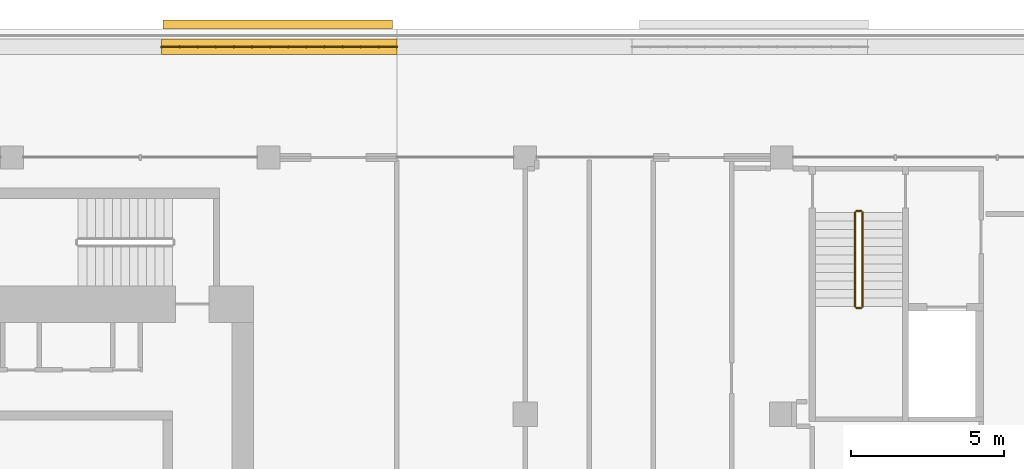
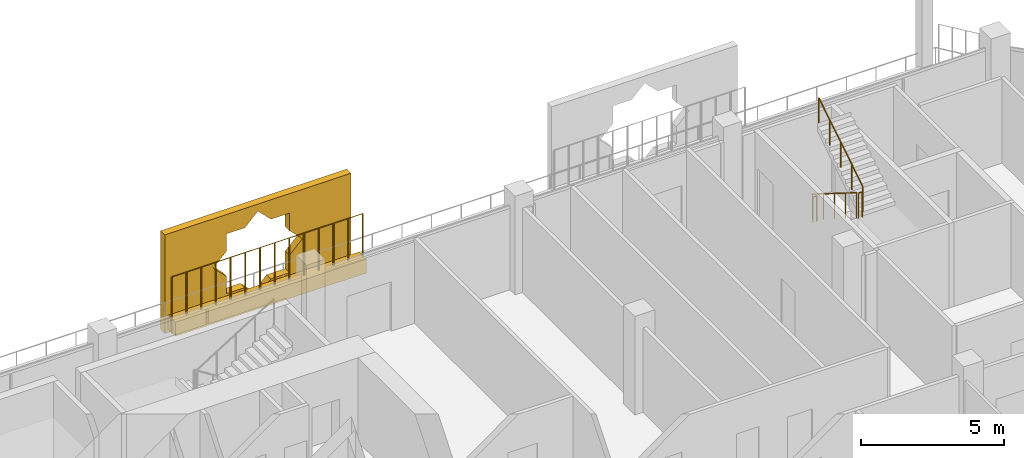
# One storey, part 20 of 21: 5 railings, 2 coverings.
"""IFC4 building model written with IfcOpenShell, lengths in metres."""

from ifc_helpers import new_model, si_unit, direction, frame, origin, origin_2d, place, context, subcontext, project, spatial, polyline, rectangle, circle, outline, extrude, material, material_profile, profile_set, type_object, element, save


model = new_model("IFC4")

# Units and contexts
model_context = context("Model", 3, precision=1e-05, world=origin(), true_north=direction((0.0, 1.0)))
body_context = subcontext(model_context, "Body", "Model", "MODEL_VIEW")
ifc_project = project(units=[si_unit("LENGTHUNIT", "METRE"), si_unit("AREAUNIT", "SQUARE_METRE"), si_unit("VOLUMEUNIT", "CUBIC_METRE"), si_unit("PLANEANGLEUNIT", "RADIAN"), si_unit("MASSUNIT", "GRAM", prefix="KILO")], contexts=[model_context])

# Site, building, storey
site_placement = place(None, origin())
site = spatial("IfcSite", under=ifc_project, at=site_placement, CompositionType="ELEMENT")
building_placement = place(site_placement, origin())
building = spatial("IfcBuilding", under=site, at=building_placement, Name="Kawkab Arch Medical Tower", CompositionType="ELEMENT")
storey_placement = place(building_placement, frame((0.0, 0.0, 319.60009765625)))
storey = spatial("IfcBuildingStorey", under=building, at=storey_placement, Name="L74", CompositionType="ELEMENT", Elevation=319.60009765625)

# Coverings
ifc_material_1 = material(Name="Bronze anodised aluminium mashrabiya panel, eight-point star pattern", Category="aluminium")
ifc_material_profile_1 = material_profile(ifc_material_1, outline(polyline([(-3.75, -2.10009765625), (3.75, -2.10009765625), (3.75, 2.10009765625), (-3.75, 2.10009765625), (-3.75, -2.10009765625)]), holes=[polyline([(1.800048828125, 0.0), (1.272705078125, 0.527099609375), (1.272705078125, 1.272705078125), (0.527099609375, 1.272705078125), (0.0, 1.800048828125), (-0.527099609375, 1.272705078125), (-1.272705078125, 1.272705078125), (-1.272705078125, 0.527099609375), (-1.800048828125, 0.0), (-1.272705078125, -0.527099609375), (-1.272705078125, -1.272705078125), (-0.527099609375, -1.272705078125), (0.0, -1.800048828125), (0.527099609375, -1.272705078125), (1.272705078125, -1.272705078125), (1.272705078125, -0.527099609375), (1.800048828125, 0.0)])]), Name="Mashrabiya panel 7500x4200")
ifc_profile_set_1 = profile_set([ifc_material_profile_1], Name="Bronze anodised aluminium mashrabiya panel, eight-point star pattern")
covering_type_1 = type_object("IfcCoveringType", Name="Mashrabiya panel 7500 x 4200", PredefinedType="USERDEFINED", material=ifc_profile_set_1)
covering_1_placement = place(storey_placement, frame((25.500732421875, 4.199951171875, 1.699951171875), z_axis=(0.0, 1.0, 0.0), x_axis=(-1.0, 0.0, 0.0)))
element("IfcCovering", 1, at=covering_1_placement, inside=storey, type_object=covering_type_1, Name="Mashrabiya panel L74.LOG-01-01.4", ObjectType="SCREEN", PredefinedType="USERDEFINED", context=body_context, shape_type="SweptSolid", body=[
    extrude(outline(polyline([(-3.75, -2.10009765625), (3.75, -2.10009765625), (3.75, 2.10009765625), (-3.75, 2.10009765625), (-3.75, -2.10009765625)]), holes=[polyline([(1.800048828125, 0.0), (1.272705078125, 0.527099609375), (1.272705078125, 1.272705078125), (0.527099609375, 1.272705078125), (0.0, 1.800048828125), (-0.527099609375, 1.272705078125), (-1.272705078125, 1.272705078125), (-1.272705078125, 0.527099609375), (-1.800048828125, 0.0), (-1.272705078125, -0.527099609375), (-1.272705078125, -1.272705078125), (-0.527099609375, -1.272705078125), (0.0, -1.800048828125), (0.527099609375, -1.272705078125), (1.272705078125, -1.272705078125), (1.272705078125, -0.527099609375), (1.800048828125, 0.0)])]), origin(), (0.0, 0.0, 1.0), 0.300048828125),
])
ifc_material_2 = material(Name="Planting soil in a precast trough", Category="concrete")
ifc_material_profile_2 = material_profile(ifc_material_2, rectangle(XDim=0.5, YDim=0.60009765625, at=origin_2d()), Name="Trough 500x600")
ifc_profile_set_2 = profile_set([ifc_material_profile_2], Name="Planting soil in a precast trough")
covering_type_2 = type_object("IfcCoveringType", Name="Planter trough 500 x 600", PredefinedType="USERDEFINED", material=ifc_profile_set_2)
covering_2_placement = place(storey_placement, frame((21.695068359375, 3.6201171875, 0.2998046875), z_axis=(1.0, 0.0, 0.0), x_axis=(0.0, 1.0, 0.0)))
element("IfcCovering", 2, at=covering_2_placement, inside=storey, type_object=covering_type_2, Name="Planter L74.LOG-01-01.15", ObjectType="PLANTER", PredefinedType="USERDEFINED", context=body_context, shape_type="SweptSolid", body=[
    extrude(rectangle(XDim=0.5, YDim=0.60009765625, at=origin_2d()), origin(), (0.0, 0.0, 1.0), 7.704833984375),
])

# Railings
ifc_material_3 = material(Name="Bronze anodised aluminium trellis for climbing plants", Category="aluminium")
railing_type_1 = type_object("IfcRailingType", Name="Planting trellis 2400", PredefinedType="USERDEFINED", material=ifc_material_3)
railing_1_placement = place(storey_placement, frame((21.695068359375, 3.6201171875, 0.0)))
element("IfcRailing", 3, at=railing_1_placement, inside=storey, type_object=railing_type_1, Name="Planting trellis L74.LOG-01-01.15", ObjectType="TRELLIS", PredefinedType="USERDEFINED", context=body_context, shape_type="SweptSolid", body=[
    extrude(circle(Radius=0.01513671875, at=origin_2d()), frame((0.0, 0.0, 2.384765625), z_axis=(1.0, 0.0, 0.0), x_axis=(0.0, 1.0, 0.0)), (0.0, 0.0, 1.0), 7.704833984375),
    extrude(circle(Radius=0.030029296875, at=origin_2d()), origin(), (0.0, 0.0, 1.0), 2.369873046875),
    extrude(circle(Radius=0.030029296875, at=origin_2d()), frame((0.5927734375, 0.0, 0.0)), (0.0, 0.0, 1.0), 2.369873046875),
    extrude(circle(Radius=0.030029296875, at=origin_2d()), frame((1.185302734375, 0.0, 0.0)), (0.0, 0.0, 1.0), 2.369873046875),
    extrude(circle(Radius=0.030029296875, at=origin_2d()), frame((1.778076171875, 0.0, 0.0)), (0.0, 0.0, 1.0), 2.369873046875),
    extrude(circle(Radius=0.030029296875, at=origin_2d()), frame((2.37060546875, 0.0, 0.0)), (0.0, 0.0, 1.0), 2.369873046875),
    extrude(circle(Radius=0.030029296875, at=origin_2d()), frame((2.96337890625, 0.0, 0.0)), (0.0, 0.0, 1.0), 2.369873046875),
    extrude(circle(Radius=0.030029296875, at=origin_2d()), frame((3.55615234375, 0.0, 0.0)), (0.0, 0.0, 1.0), 2.369873046875),
    extrude(circle(Radius=0.030029296875, at=origin_2d()), frame((4.148681640625, 0.0, 0.0)), (0.0, 0.0, 1.0), 2.369873046875),
    extrude(circle(Radius=0.030029296875, at=origin_2d()), frame((4.741455078125, 0.0, 0.0)), (0.0, 0.0, 1.0), 2.369873046875),
    extrude(circle(Radius=0.030029296875, at=origin_2d()), frame((5.334228515625, 0.0, 0.0)), (0.0, 0.0, 1.0), 2.369873046875),
    extrude(circle(Radius=0.030029296875, at=origin_2d()), frame((5.9267578125, 0.0, 0.0)), (0.0, 0.0, 1.0), 2.369873046875),
    extrude(circle(Radius=0.030029296875, at=origin_2d()), frame((6.51953125, 0.0, 0.0)), (0.0, 0.0, 1.0), 2.369873046875),
    extrude(circle(Radius=0.030029296875, at=origin_2d()), frame((7.112060546875, 0.0, 0.0)), (0.0, 0.0, 1.0), 2.369873046875),
    extrude(circle(Radius=0.030029296875, at=origin_2d()), frame((7.704833984375, 0.0, 0.0)), (0.0, 0.0, 1.0), 2.369873046875),
])
ifc_material_4 = material(Name="Stainless steel", Category="steel")
railing_type_2 = type_object("IfcRailingType", Name="Stair guard 1100", PredefinedType="GUARDRAIL", material=ifc_material_4)
railing_2_placement = place(storey_placement, frame((44.39990234375, -1.800048828125, 0.1748046875)))
element("IfcRailing", 4, at=railing_2_placement, inside=storey, type_object=railing_type_2, Name="L74 ST5 stair guard 1", PredefinedType="GUARDRAIL", context=body_context, shape_type="SweptSolid", body=[
    extrude(circle(Radius=0.02392578125, at=origin_2d()), frame((0.0, 0.0, 1.076171875), z_axis=(0.0, -0.847979421464, 0.530029150871), x_axis=(1.0, 0.0, 0.0)), (0.0, 0.0, 1.0), 3.632080078125),
    extrude(circle(Radius=0.02099609375, at=origin_2d()), origin(), (0.0, 0.0, 1.0), 1.052001953125),
    extrude(circle(Radius=0.02099609375, at=origin_2d()), frame((0.0, -0.77001953125, 0.481201171875)), (0.0, 0.0, 1.0), 1.052001953125),
    extrude(circle(Radius=0.02099609375, at=origin_2d()), frame((0.0, -1.5400390625, 0.96240234375)), (0.0, 0.0, 1.0), 1.052001953125),
    extrude(circle(Radius=0.02099609375, at=origin_2d()), frame((0.0, -2.309814453125, 1.44384765625)), (0.0, 0.0, 1.0), 1.052001953125),
    extrude(circle(Radius=0.02099609375, at=origin_2d()), frame((0.0, -3.079833984375, 1.925048828125)), (0.0, 0.0, 1.0), 1.052001953125),
])
railing_3_placement = place(storey_placement, frame((44.449951171875, -4.929931640625, 2.099853515625)))
element("IfcRailing", 5, at=railing_3_placement, inside=storey, type_object=railing_type_2, Name="L74 ST5 stair guard 2", PredefinedType="GUARDRAIL", context=body_context, shape_type="SweptSolid", body=[
    extrude(circle(Radius=0.02392578125, at=origin_2d()), frame((0.0, 0.0, 1.076171875), z_axis=(1.0, 0.0, 0.0), x_axis=(0.0, 1.0, 0.0)), (0.0, 0.0, 1.0), 0.150146484375),
    extrude(circle(Radius=0.02099609375, at=origin_2d()), origin(), (0.0, 0.0, 1.0), 1.052001953125),
    extrude(circle(Radius=0.02099609375, at=origin_2d()), frame((0.150146484375, 0.0, 0.0)), (0.0, 0.0, 1.0), 1.052001953125),
])
railing_4_placement = place(storey_placement, frame((44.64990234375, -4.8798828125, 2.27490234375)))
element("IfcRailing", 6, at=railing_4_placement, inside=storey, type_object=railing_type_2, Name="L74 ST5 stair guard 3", PredefinedType="GUARDRAIL", context=body_context, shape_type="SweptSolid", body=[
    extrude(circle(Radius=0.02392578125, at=origin_2d()), frame((0.0, 0.0, 1.076171875), z_axis=(0.0, 0.847979421464, 0.530029150871), x_axis=(-1.0, 0.0, 0.0)), (0.0, 0.0, 1.0), 3.632080078125),
    extrude(circle(Radius=0.02099609375, at=origin_2d()), origin(), (0.0, 0.0, 1.0), 1.052001953125),
    extrude(circle(Radius=0.02099609375, at=origin_2d()), frame((0.0, 0.77001953125, 0.481201171875)), (0.0, 0.0, 1.0), 1.052001953125),
    extrude(circle(Radius=0.02099609375, at=origin_2d()), frame((0.0, 1.5400390625, 0.96240234375)), (0.0, 0.0, 1.0), 1.052001953125),
    extrude(circle(Radius=0.02099609375, at=origin_2d()), frame((0.0, 2.309814453125, 1.44384765625)), (0.0, 0.0, 1.0), 1.052001953125),
    extrude(circle(Radius=0.02099609375, at=origin_2d()), frame((0.0, 3.079833984375, 1.925048828125)), (0.0, 0.0, 1.0), 1.052001953125),
])
railing_5_placement = place(storey_placement, frame((44.449951171875, -1.75, 0.0)))
element("IfcRailing", 7, at=railing_5_placement, inside=storey, type_object=railing_type_2, Name="L74 ST5 stair guard 4", PredefinedType="GUARDRAIL", context=body_context, shape_type="SweptSolid", body=[
    extrude(circle(Radius=0.02392578125, at=origin_2d()), frame((0.0, 0.0, 1.076171875), z_axis=(1.0, 0.0, 0.0), x_axis=(0.0, 1.0, 0.0)), (0.0, 0.0, 1.0), 0.150146484375),
    extrude(circle(Radius=0.02099609375, at=origin_2d()), origin(), (0.0, 0.0, 1.0), 1.052001953125),
    extrude(circle(Radius=0.02099609375, at=origin_2d()), frame((0.150146484375, 0.0, 0.0)), (0.0, 0.0, 1.0), 1.052001953125),
])

save(model, "model.ifc")
